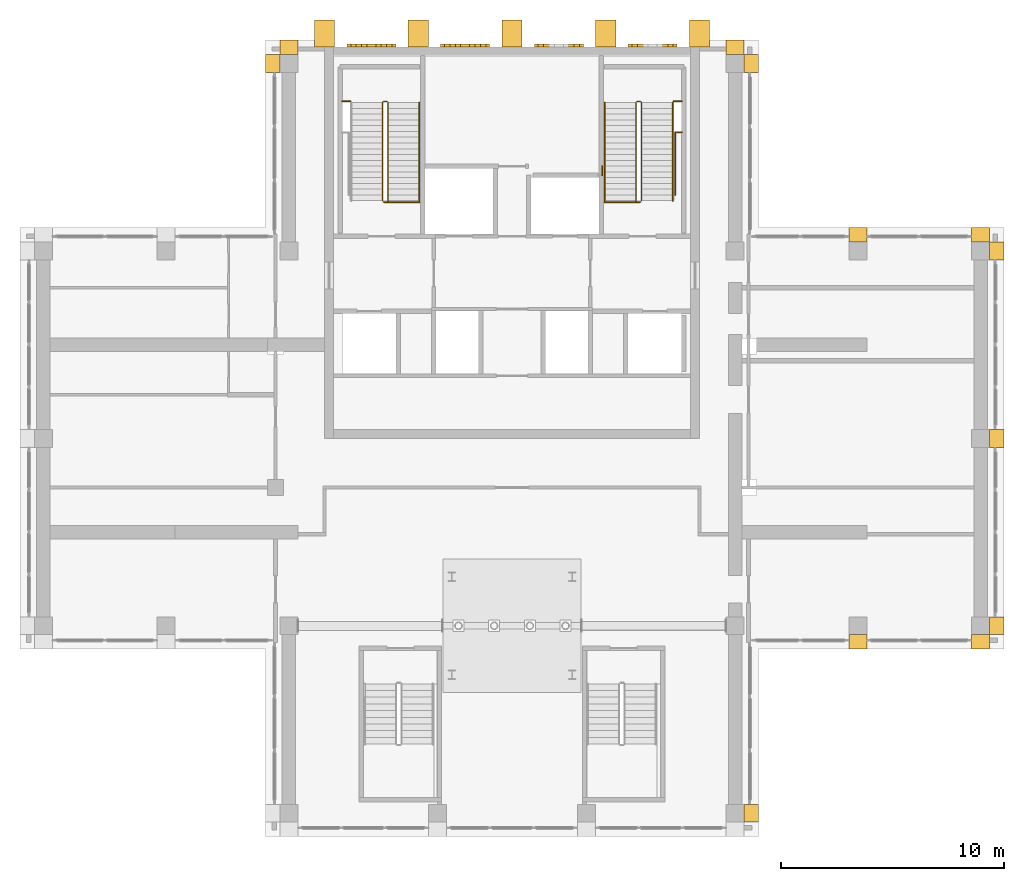
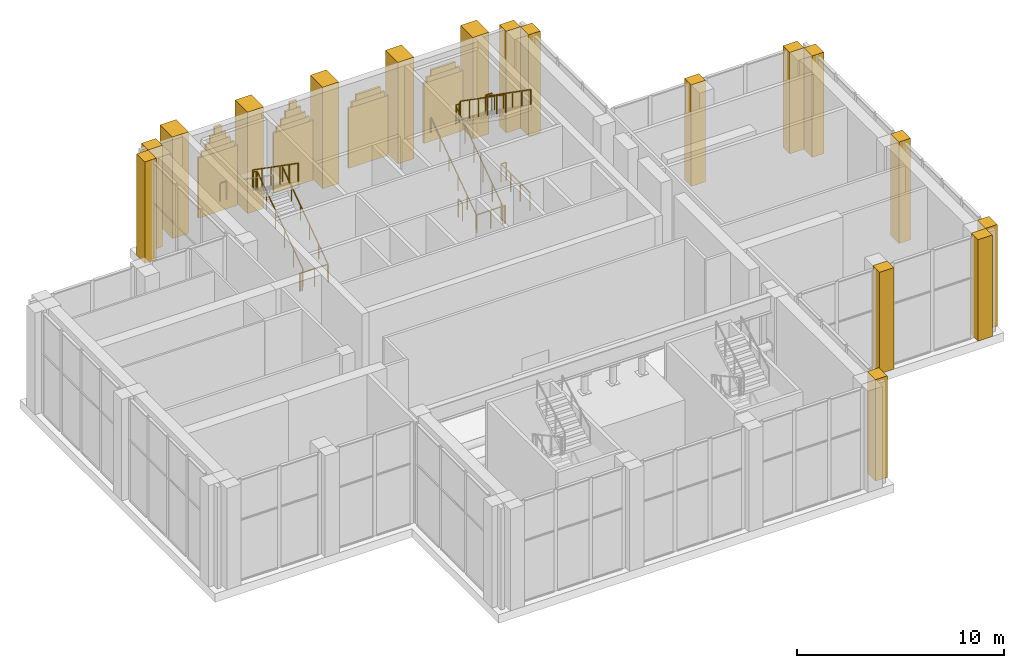
# One storey, part 13 of 14: 33 coverings, 11 railings.
"""IFC4 building model written with IfcOpenShell, lengths in metres."""

from ifc_helpers import new_model, si_unit, direction, frame, origin, origin_2d, place, context, subcontext, project, spatial, polyline, rectangle, outline, extrude, material, type_object, element, save


model = new_model("IFC4")

# Units and contexts
model_context = context("Model", 3, precision=1e-05, world=origin(), true_north=direction((0.0, 1.0)))
body_context = subcontext(model_context, "Body", "Model", "MODEL_VIEW")
ifc_project = project(units=[si_unit("LENGTHUNIT", "METRE"), si_unit("AREAUNIT", "SQUARE_METRE"), si_unit("VOLUMEUNIT", "CUBIC_METRE"), si_unit("PLANEANGLEUNIT", "RADIAN"), si_unit("MASSUNIT", "GRAM", prefix="KILO")], contexts=[model_context])

# Site, building, storey
site_placement = place(None, origin())
site = spatial("IfcSite", under=ifc_project, at=site_placement, CompositionType="ELEMENT")
building_placement = place(site_placement, origin())
building = spatial("IfcBuilding", under=site, at=building_placement, Name="Vermilion Ogive Tower", CompositionType="ELEMENT")
storey_placement = place(building_placement, frame((0.0, 0.0, 278.35009765625)))
storey = spatial("IfcBuildingStorey", under=building, at=storey_placement, Name="L73", CompositionType="ELEMENT", Elevation=278.35009765625)

# Coverings
ifc_material_1 = material(Name="Stone cladding", Category="masonry")
covering_type_1 = type_object("IfcCoveringType", Name="Core buttress pier", PredefinedType="CLADDING", material=ifc_material_1)
covering_1_placement = place(storey_placement, origin())
element("IfcCovering", 1, at=covering_1_placement, inside=storey, type_object=covering_type_1, Name="Buttress pier L73 N1", PredefinedType="CLADDING", context=body_context, shape_type="SweptSolid", body=[
    extrude(outline(polyline([(-8.85009765625, 21.75), (-7.949951171875, 21.75), (-7.949951171875, 22.949951171875), (-8.85009765625, 22.949951171875), (-8.85009765625, 21.75)])), origin(), (0.0, 0.0, 1.0), 6.0),
])
covering_2_placement = place(storey_placement, origin())
element("IfcCovering", 2, at=covering_2_placement, inside=storey, type_object=covering_type_1, Name="Buttress pier L73 N2", PredefinedType="CLADDING", context=body_context, shape_type="SweptSolid", body=[
    extrude(outline(polyline([(-4.64990234375, 21.75), (-3.75, 21.75), (-3.75, 22.949951171875), (-4.64990234375, 22.949951171875), (-4.64990234375, 21.75)])), origin(), (0.0, 0.0, 1.0), 6.0),
])
covering_3_placement = place(storey_placement, origin())
element("IfcCovering", 3, at=covering_3_placement, inside=storey, type_object=covering_type_1, Name="Buttress pier L73 N3", PredefinedType="CLADDING", context=body_context, shape_type="SweptSolid", body=[
    extrude(outline(polyline([(-0.449951171875, 21.75), (0.449951171875, 21.75), (0.449951171875, 22.949951171875), (-0.449951171875, 22.949951171875), (-0.449951171875, 21.75)])), origin(), (0.0, 0.0, 1.0), 6.0),
])
covering_4_placement = place(storey_placement, origin())
element("IfcCovering", 4, at=covering_4_placement, inside=storey, type_object=covering_type_1, Name="Buttress pier L73 N4", PredefinedType="CLADDING", context=body_context, shape_type="SweptSolid", body=[
    extrude(outline(polyline([(3.75, 21.75), (4.64990234375, 21.75), (4.64990234375, 22.949951171875), (3.75, 22.949951171875), (3.75, 21.75)])), origin(), (0.0, 0.0, 1.0), 6.0),
])
covering_5_placement = place(storey_placement, origin())
element("IfcCovering", 5, at=covering_5_placement, inside=storey, type_object=covering_type_1, Name="Buttress pier L73 N5", PredefinedType="CLADDING", context=body_context, shape_type="SweptSolid", body=[
    extrude(outline(polyline([(7.949951171875, 21.75), (8.85009765625, 21.75), (8.85009765625, 22.949951171875), (7.949951171875, 22.949951171875), (7.949951171875, 21.75)])), origin(), (0.0, 0.0, 1.0), 6.0),
])
ifc_material_2 = material(Name="Stone cladding", Category="masonry")
covering_type_2 = type_object("IfcCoveringType", Name="Lancet panel", PredefinedType="CLADDING", material=ifc_material_2)
covering_6_placement = place(storey_placement, frame((0.0, 0.0, 0.699951171875)))
element("IfcCovering", 6, at=covering_6_placement, inside=storey, type_object=covering_type_2, Name="Lancet panel L73N1A", PredefinedType="CLADDING", context=body_context, shape_type="SweptSolid", body=[
    extrude(outline(polyline([(-7.39990234375, 21.75), (-5.199951171875, 21.75), (-5.199951171875, 21.8701171875), (-7.39990234375, 21.8701171875), (-7.39990234375, 21.75)])), origin(), (0.0, 0.0, 1.0), 3.550048828125),
])
covering_7_placement = place(storey_placement, frame((0.0, 0.0, 4.25)))
element("IfcCovering", 7, at=covering_7_placement, inside=storey, type_object=covering_type_2, Name="Lancet panel L73N1B", PredefinedType="CLADDING", context=body_context, shape_type="SweptSolid", body=[
    extrude(outline(polyline([(-7.22412109375, 21.75), (-5.3759765625, 21.75), (-5.3759765625, 21.8701171875), (-7.22412109375, 21.8701171875), (-7.22412109375, 21.75)])), origin(), (0.0, 0.0, 1.0), 0.2998046875),
])
covering_8_placement = place(storey_placement, frame((0.0, 0.0, 4.5498046875)))
element("IfcCovering", 8, at=covering_8_placement, inside=storey, type_object=covering_type_2, Name="Lancet panel L73N1C", PredefinedType="CLADDING", context=body_context, shape_type="SweptSolid", body=[
    extrude(outline(polyline([(-6.98193359375, 21.75), (-5.617919921875, 21.75), (-5.617919921875, 21.8701171875), (-6.98193359375, 21.8701171875), (-6.98193359375, 21.75)])), origin(), (0.0, 0.0, 1.0), 0.35009765625),
])
covering_9_placement = place(storey_placement, frame((0.0, 0.0, 4.89990234375)))
element("IfcCovering", 9, at=covering_9_placement, inside=storey, type_object=covering_type_2, Name="Lancet panel L73N1D", PredefinedType="CLADDING", context=body_context, shape_type="SweptSolid", body=[
    extrude(outline(polyline([(-6.739990234375, 21.75), (-5.860107421875, 21.75), (-5.860107421875, 21.8701171875), (-6.739990234375, 21.8701171875), (-6.739990234375, 21.75)])), origin(), (0.0, 0.0, 1.0), 0.39990234375),
])
covering_10_placement = place(storey_placement, frame((0.0, 0.0, 5.2998046875)))
element("IfcCovering", 10, at=covering_10_placement, inside=storey, type_object=covering_type_2, Name="Lancet panel L73N1E", PredefinedType="CLADDING", context=body_context, shape_type="SweptSolid", body=[
    extrude(outline(polyline([(-6.498046875, 21.75), (-6.10205078125, 21.75), (-6.10205078125, 21.8701171875), (-6.498046875, 21.8701171875), (-6.498046875, 21.75)])), origin(), (0.0, 0.0, 1.0), 0.4501953125),
])
covering_11_placement = place(storey_placement, frame((0.0, 0.0, 0.699951171875)))
element("IfcCovering", 11, at=covering_11_placement, inside=storey, type_object=covering_type_2, Name="Lancet panel L73N2A", PredefinedType="CLADDING", context=body_context, shape_type="SweptSolid", body=[
    extrude(outline(polyline([(-3.199951171875, 21.75), (-1.0, 21.75), (-1.0, 21.8701171875), (-3.199951171875, 21.8701171875), (-3.199951171875, 21.75)])), origin(), (0.0, 0.0, 1.0), 3.550048828125),
])
covering_12_placement = place(storey_placement, frame((0.0, 0.0, 4.25)))
element("IfcCovering", 12, at=covering_12_placement, inside=storey, type_object=covering_type_2, Name="Lancet panel L73N2B", PredefinedType="CLADDING", context=body_context, shape_type="SweptSolid", body=[
    extrude(outline(polyline([(-3.02392578125, 21.75), (-1.176025390625, 21.75), (-1.176025390625, 21.8701171875), (-3.02392578125, 21.8701171875), (-3.02392578125, 21.75)])), origin(), (0.0, 0.0, 1.0), 0.2998046875),
])
covering_13_placement = place(storey_placement, frame((0.0, 0.0, 4.5498046875)))
element("IfcCovering", 13, at=covering_13_placement, inside=storey, type_object=covering_type_2, Name="Lancet panel L73N2C", PredefinedType="CLADDING", context=body_context, shape_type="SweptSolid", body=[
    extrude(outline(polyline([(-2.781982421875, 21.75), (-1.41796875, 21.75), (-1.41796875, 21.8701171875), (-2.781982421875, 21.8701171875), (-2.781982421875, 21.75)])), origin(), (0.0, 0.0, 1.0), 0.35009765625),
])
covering_14_placement = place(storey_placement, frame((0.0, 0.0, 4.89990234375)))
element("IfcCovering", 14, at=covering_14_placement, inside=storey, type_object=covering_type_2, Name="Lancet panel L73N2D", PredefinedType="CLADDING", context=body_context, shape_type="SweptSolid", body=[
    extrude(outline(polyline([(-2.5400390625, 21.75), (-1.659912109375, 21.75), (-1.659912109375, 21.8701171875), (-2.5400390625, 21.8701171875), (-2.5400390625, 21.75)])), origin(), (0.0, 0.0, 1.0), 0.39990234375),
])
covering_15_placement = place(storey_placement, frame((0.0, 0.0, 5.2998046875)))
element("IfcCovering", 15, at=covering_15_placement, inside=storey, type_object=covering_type_2, Name="Lancet panel L73N2E", PredefinedType="CLADDING", context=body_context, shape_type="SweptSolid", body=[
    extrude(outline(polyline([(-2.298095703125, 21.75), (-1.902099609375, 21.75), (-1.902099609375, 21.8701171875), (-2.298095703125, 21.8701171875), (-2.298095703125, 21.75)])), origin(), (0.0, 0.0, 1.0), 0.4501953125),
])
covering_16_placement = place(storey_placement, frame((0.0, 0.0, 0.699951171875)))
element("IfcCovering", 16, at=covering_16_placement, inside=storey, type_object=covering_type_2, Name="Lancet panel L73N3A", PredefinedType="CLADDING", context=body_context, shape_type="SweptSolid", body=[
    extrude(outline(polyline([(1.0, 21.75), (3.199951171875, 21.75), (3.199951171875, 21.8701171875), (1.0, 21.8701171875), (1.0, 21.75)])), origin(), (0.0, 0.0, 1.0), 3.550048828125),
])
covering_17_placement = place(storey_placement, frame((0.0, 0.0, 4.25)))
element("IfcCovering", 17, at=covering_17_placement, inside=storey, type_object=covering_type_2, Name="Lancet panel L73N3B", PredefinedType="CLADDING", context=body_context, shape_type="SweptSolid", body=[
    extrude(outline(polyline([(1.176025390625, 21.75), (3.02392578125, 21.75), (3.02392578125, 21.8701171875), (1.176025390625, 21.8701171875), (1.176025390625, 21.75)])), origin(), (0.0, 0.0, 1.0), 0.2998046875),
])
covering_18_placement = place(storey_placement, frame((0.0, 0.0, 4.5498046875)))
element("IfcCovering", 18, at=covering_18_placement, inside=storey, type_object=covering_type_2, Name="Lancet panel L73N3C", PredefinedType="CLADDING", context=body_context, shape_type="SweptSolid", body=[
    extrude(outline(polyline([(1.41796875, 21.75), (2.781982421875, 21.75), (2.781982421875, 21.8701171875), (1.41796875, 21.8701171875), (1.41796875, 21.75)])), origin(), (0.0, 0.0, 1.0), 0.35009765625),
])
covering_19_placement = place(storey_placement, frame((0.0, 0.0, 0.699951171875)))
element("IfcCovering", 19, at=covering_19_placement, inside=storey, type_object=covering_type_2, Name="Lancet panel L73N4A", PredefinedType="CLADDING", context=body_context, shape_type="SweptSolid", body=[
    extrude(outline(polyline([(5.199951171875, 21.75), (7.39990234375, 21.75), (7.39990234375, 21.8701171875), (5.199951171875, 21.8701171875), (5.199951171875, 21.75)])), origin(), (0.0, 0.0, 1.0), 3.550048828125),
])
covering_20_placement = place(storey_placement, frame((0.0, 0.0, 4.25)))
element("IfcCovering", 20, at=covering_20_placement, inside=storey, type_object=covering_type_2, Name="Lancet panel L73N4B", PredefinedType="CLADDING", context=body_context, shape_type="SweptSolid", body=[
    extrude(outline(polyline([(5.3759765625, 21.75), (7.22412109375, 21.75), (7.22412109375, 21.8701171875), (5.3759765625, 21.8701171875), (5.3759765625, 21.75)])), origin(), (0.0, 0.0, 1.0), 0.2998046875),
])
covering_21_placement = place(storey_placement, frame((0.0, 0.0, 4.5498046875)))
element("IfcCovering", 21, at=covering_21_placement, inside=storey, type_object=covering_type_2, Name="Lancet panel L73N4C", PredefinedType="CLADDING", context=body_context, shape_type="SweptSolid", body=[
    extrude(outline(polyline([(5.617919921875, 21.75), (6.98193359375, 21.75), (6.98193359375, 21.8701171875), (5.617919921875, 21.8701171875), (5.617919921875, 21.75)])), origin(), (0.0, 0.0, 1.0), 0.35009765625),
])

# Railings
ifc_material_3 = material(Name="Steel S355 painted", Category="steel")
railing_type_1 = type_object("IfcRailingType", Name="Stair guard 1100", PredefinedType="GUARDRAIL", material=ifc_material_3)
railing_1_placement = place(storey_placement, frame((-5.75, 14.800048828125, 0.0)))
element("IfcRailing", 22, at=railing_1_placement, inside=storey, type_object=railing_type_1, Name="L73 ST1 stair guard 4", PredefinedType="GUARDRAIL", context=body_context, shape_type="SweptSolid", body=[
    extrude(rectangle(XDim=0.048095703125, YDim=0.048095703125, at=origin_2d()), frame((0.0, 0.0, 1.076171875), z_axis=(1.0, 0.0, 0.0), x_axis=(0.0, 1.0, 0.0)), (0.0, 0.0, 1.0), 0.14990234375),
    extrude(rectangle(XDim=0.048095703125, YDim=0.048095703125, at=origin_2d()), frame((0.14990234375, 0.0, 1.076171875), z_axis=(0.258240678652, 0.258240678652, 0.930926153773), x_axis=(-0.707106781187, 0.707106781187, 0.0)), (0.0, 0.0, 1.0), 0.19384765625),
    extrude(rectangle(XDim=0.048095703125, YDim=0.048095703125, at=origin_2d()), frame((0.199951171875, 0.050048828125, 1.25634765625), z_axis=(0.0, 0.820137383327, 0.572166647463), x_axis=(-1.0, 0.0, 0.0)), (0.0, 0.0, 1.0), 5.36474609375),
    extrude(rectangle(XDim=0.048095703125, YDim=0.048095703125, at=origin_2d()), frame((0.199951171875, 4.449951171875, 4.326171875), z_axis=(-0.707106781187, 0.707106781187, 0.0), x_axis=(-0.707106781187, -0.707106781187, 0.0)), (0.0, 0.0, 1.0), 0.07080078125),
    extrude(rectangle(XDim=0.048095703125, YDim=0.048095703125, at=origin_2d()), frame((0.14990234375, 4.5, 4.326171875), z_axis=(-1.0, 0.0, 0.0), x_axis=(0.0, -1.0, 0.0)), (0.0, 0.0, 1.0), 0.14990234375),
    extrude(rectangle(XDim=0.048095703125, YDim=0.048095703125, at=origin_2d()), frame((0.0, 4.5, 4.326171875), z_axis=(-0.258240678652, -0.258240678652, 0.930926153773), x_axis=(0.707106781187, -0.707106781187, 0.0)), (0.0, 0.0, 1.0), 0.19384765625),
    extrude(rectangle(XDim=0.048095703125, YDim=0.048095703125, at=origin_2d()), frame((-0.050048828125, 4.449951171875, 4.50634765625), z_axis=(0.0, -0.820137383327, 0.572166647463), x_axis=(1.0, 0.0, 0.0)), (0.0, 0.0, 1.0), 5.36474609375),
    extrude(rectangle(XDim=0.0419921875, YDim=0.0419921875, at=origin_2d()), origin(), (0.0, 0.0, 1.0), 1.052001953125),
    extrude(rectangle(XDim=0.0419921875, YDim=0.0419921875, at=origin_2d()), frame((0.14990234375, 0.0, 0.0)), (0.0, 0.0, 1.0), 1.052001953125),
    extrude(rectangle(XDim=0.0419921875, YDim=0.0419921875, at=origin_2d()), frame((0.199951171875, 0.050048828125, 0.180419921875)), (0.0, 0.0, 1.0), 1.052001953125),
    extrude(rectangle(XDim=0.0419921875, YDim=0.0419921875, at=origin_2d()), frame((0.199951171875, 0.929931640625, 0.79443359375)), (0.0, 0.0, 1.0), 1.052001953125),
    extrude(rectangle(XDim=0.0419921875, YDim=0.0419921875, at=origin_2d()), frame((0.199951171875, 1.81005859375, 1.408203125)), (0.0, 0.0, 1.0), 1.052001953125),
    extrude(rectangle(XDim=0.0419921875, YDim=0.0419921875, at=origin_2d()), frame((0.199951171875, 2.68994140625, 2.022216796875)), (0.0, 0.0, 1.0), 1.052001953125),
    extrude(rectangle(XDim=0.0419921875, YDim=0.0419921875, at=origin_2d()), frame((0.199951171875, 3.570068359375, 2.635986328125)), (0.0, 0.0, 1.0), 1.052001953125),
    extrude(rectangle(XDim=0.0419921875, YDim=0.0419921875, at=origin_2d()), frame((0.199951171875, 4.449951171875, 3.25)), (0.0, 0.0, 1.0), 1.052001953125),
    extrude(rectangle(XDim=0.0419921875, YDim=0.0419921875, at=origin_2d()), frame((0.14990234375, 4.5, 3.25)), (0.0, 0.0, 1.0), 1.052001953125),
    extrude(rectangle(XDim=0.0419921875, YDim=0.0419921875, at=origin_2d()), frame((0.0, 4.5, 3.25)), (0.0, 0.0, 1.0), 1.052001953125),
    extrude(rectangle(XDim=0.0419921875, YDim=0.0419921875, at=origin_2d()), frame((-0.050048828125, 4.449951171875, 3.430419921875)), (0.0, 0.0, 1.0), 1.052001953125),
    extrude(rectangle(XDim=0.0419921875, YDim=0.0419921875, at=origin_2d()), frame((-0.050048828125, 3.570068359375, 4.04443359375)), (0.0, 0.0, 1.0), 1.052001953125),
    extrude(rectangle(XDim=0.0419921875, YDim=0.0419921875, at=origin_2d()), frame((-0.050048828125, 2.68994140625, 4.658203125)), (0.0, 0.0, 1.0), 1.052001953125),
    extrude(rectangle(XDim=0.0419921875, YDim=0.0419921875, at=origin_2d()), frame((-0.050048828125, 1.81005859375, 5.272216796875)), (0.0, 0.0, 1.0), 1.052001953125),
    extrude(rectangle(XDim=0.0419921875, YDim=0.0419921875, at=origin_2d()), frame((-0.050048828125, 0.929931640625, 5.885986328125)), (0.0, 0.0, 1.0), 1.052001953125),
    extrude(rectangle(XDim=0.0419921875, YDim=0.0419921875, at=origin_2d()), frame((-0.050048828125, 0.050048828125, 6.5)), (0.0, 0.0, 1.0), 1.052001953125),
])
railing_2_placement = place(storey_placement, frame((5.75, 14.800048828125, 0.0)))
element("IfcRailing", 23, at=railing_2_placement, inside=storey, type_object=railing_type_1, Name="L73 ST2 stair guard 4", PredefinedType="GUARDRAIL", context=body_context, shape_type="SweptSolid", body=[
    extrude(rectangle(XDim=0.048095703125, YDim=0.048095703125, at=origin_2d()), frame((0.0, 0.0, 1.076171875), z_axis=(-1.0, 0.0, 0.0), x_axis=(0.0, -1.0, 0.0)), (0.0, 0.0, 1.0), 0.14990234375),
    extrude(rectangle(XDim=0.048095703125, YDim=0.048095703125, at=origin_2d()), frame((-0.14990234375, 0.0, 1.076171875), z_axis=(-0.258240678652, 0.258240678652, 0.930926153773), x_axis=(-0.707106781187, -0.707106781187, 0.0)), (0.0, 0.0, 1.0), 0.19384765625),
    extrude(rectangle(XDim=0.048095703125, YDim=0.048095703125, at=origin_2d()), frame((-0.199951171875, 0.050048828125, 1.25634765625), z_axis=(0.0, 0.820137383327, 0.572166647463), x_axis=(-1.0, 0.0, 0.0)), (0.0, 0.0, 1.0), 5.36474609375),
    extrude(rectangle(XDim=0.048095703125, YDim=0.048095703125, at=origin_2d()), frame((-0.199951171875, 4.449951171875, 4.326171875), z_axis=(0.707106781187, 0.707106781187, 0.0), x_axis=(-0.707106781187, 0.707106781187, 0.0)), (0.0, 0.0, 1.0), 0.07080078125),
    extrude(rectangle(XDim=0.048095703125, YDim=0.048095703125, at=origin_2d()), frame((-0.14990234375, 4.5, 4.326171875), z_axis=(1.0, 0.0, 0.0), x_axis=(0.0, 1.0, 0.0)), (0.0, 0.0, 1.0), 0.14990234375),
    extrude(rectangle(XDim=0.048095703125, YDim=0.048095703125, at=origin_2d()), frame((0.0, 4.5, 4.326171875), z_axis=(0.258240678652, -0.258240678652, 0.930926153773), x_axis=(0.707106781187, 0.707106781187, 0.0)), (0.0, 0.0, 1.0), 0.19384765625),
    extrude(rectangle(XDim=0.048095703125, YDim=0.048095703125, at=origin_2d()), frame((0.050048828125, 4.449951171875, 4.50634765625), z_axis=(0.0, -0.820137383327, 0.572166647463), x_axis=(1.0, 0.0, 0.0)), (0.0, 0.0, 1.0), 5.36474609375),
    extrude(rectangle(XDim=0.0419921875, YDim=0.0419921875, at=origin_2d()), origin(), (0.0, 0.0, 1.0), 1.052001953125),
    extrude(rectangle(XDim=0.0419921875, YDim=0.0419921875, at=origin_2d()), frame((-0.14990234375, 0.0, 0.0)), (0.0, 0.0, 1.0), 1.052001953125),
    extrude(rectangle(XDim=0.0419921875, YDim=0.0419921875, at=origin_2d()), frame((-0.199951171875, 0.050048828125, 0.180419921875)), (0.0, 0.0, 1.0), 1.052001953125),
    extrude(rectangle(XDim=0.0419921875, YDim=0.0419921875, at=origin_2d()), frame((-0.199951171875, 0.929931640625, 0.79443359375)), (0.0, 0.0, 1.0), 1.052001953125),
    extrude(rectangle(XDim=0.0419921875, YDim=0.0419921875, at=origin_2d()), frame((-0.199951171875, 1.81005859375, 1.408203125)), (0.0, 0.0, 1.0), 1.052001953125),
    extrude(rectangle(XDim=0.0419921875, YDim=0.0419921875, at=origin_2d()), frame((-0.199951171875, 2.68994140625, 2.022216796875)), (0.0, 0.0, 1.0), 1.052001953125),
    extrude(rectangle(XDim=0.0419921875, YDim=0.0419921875, at=origin_2d()), frame((-0.199951171875, 3.570068359375, 2.635986328125)), (0.0, 0.0, 1.0), 1.052001953125),
    extrude(rectangle(XDim=0.0419921875, YDim=0.0419921875, at=origin_2d()), frame((-0.199951171875, 4.449951171875, 3.25)), (0.0, 0.0, 1.0), 1.052001953125),
    extrude(rectangle(XDim=0.0419921875, YDim=0.0419921875, at=origin_2d()), frame((-0.14990234375, 4.5, 3.25)), (0.0, 0.0, 1.0), 1.052001953125),
    extrude(rectangle(XDim=0.0419921875, YDim=0.0419921875, at=origin_2d()), frame((0.0, 4.5, 3.25)), (0.0, 0.0, 1.0), 1.052001953125),
    extrude(rectangle(XDim=0.0419921875, YDim=0.0419921875, at=origin_2d()), frame((0.050048828125, 4.449951171875, 3.430419921875)), (0.0, 0.0, 1.0), 1.052001953125),
    extrude(rectangle(XDim=0.0419921875, YDim=0.0419921875, at=origin_2d()), frame((0.050048828125, 3.570068359375, 4.04443359375)), (0.0, 0.0, 1.0), 1.052001953125),
    extrude(rectangle(XDim=0.0419921875, YDim=0.0419921875, at=origin_2d()), frame((0.050048828125, 2.68994140625, 4.658203125)), (0.0, 0.0, 1.0), 1.052001953125),
    extrude(rectangle(XDim=0.0419921875, YDim=0.0419921875, at=origin_2d()), frame((0.050048828125, 1.81005859375, 5.272216796875)), (0.0, 0.0, 1.0), 1.052001953125),
    extrude(rectangle(XDim=0.0419921875, YDim=0.0419921875, at=origin_2d()), frame((0.050048828125, 0.929931640625, 5.885986328125)), (0.0, 0.0, 1.0), 1.052001953125),
    extrude(rectangle(XDim=0.0419921875, YDim=0.0419921875, at=origin_2d()), frame((0.050048828125, 0.050048828125, 6.5)), (0.0, 0.0, 1.0), 1.052001953125),
])
for number, where, name in (
    (24, (-7.60009765625, 19.300048828125, 3.25), "L73 landing guard"),
    (25, (7.25, 19.300048828125, 3.25), "L73 landing guard"),
):
    element("IfcRailing", number, at=place(storey_placement, frame(where)), inside=storey, type_object=railing_type_1, Name=name, PredefinedType="GUARDRAIL", context=body_context, shape_type="SweptSolid", body=[
        extrude(rectangle(XDim=0.048095703125, YDim=0.048095703125, at=origin_2d()), frame((0.0, 0.0, 1.076171875), z_axis=(1.0, 0.0, 0.0), x_axis=(0.0, 1.0, 0.0)), (0.0, 0.0, 1.0), 0.35009765625),
        extrude(rectangle(XDim=0.0419921875, YDim=0.0419921875, at=origin_2d()), origin(), (0.0, 0.0, 1.0), 1.052001953125),
        extrude(rectangle(XDim=0.0419921875, YDim=0.0419921875, at=origin_2d()), frame((0.35009765625, 0.0, 0.0)), (0.0, 0.0, 1.0), 1.052001953125),
    ])
railing_3_placement = place(storey_placement, frame((-4.159912109375, 14.7900390625, 0.0)))
element("IfcRailing", 26, at=railing_3_placement, inside=storey, type_object=railing_type_1, Name="L73 stair opening guard", PredefinedType="GUARDRAIL", context=body_context, shape_type="SweptSolid", body=[
    extrude(rectangle(XDim=0.048095703125, YDim=0.048095703125, at=origin_2d()), frame((0.0, 0.0, 1.076171875), z_axis=(-1.0, 0.0, 0.0), x_axis=(0.0, -1.0, 0.0)), (0.0, 0.0, 1.0), 1.5400390625),
    extrude(rectangle(XDim=0.0419921875, YDim=0.0419921875, at=origin_2d()), origin(), (0.0, 0.0, 1.0), 1.052001953125),
    extrude(rectangle(XDim=0.0419921875, YDim=0.0419921875, at=origin_2d()), frame((-0.77001953125, 0.0, 0.0)), (0.0, 0.0, 1.0), 1.052001953125),
    extrude(rectangle(XDim=0.0419921875, YDim=0.0419921875, at=origin_2d()), frame((-1.5400390625, 0.0, 0.0)), (0.0, 0.0, 1.0), 1.052001953125),
])
railing_4_placement = place(storey_placement, frame((4.0400390625, 16.0, 0.0)))
element("IfcRailing", 27, at=railing_4_placement, inside=storey, type_object=railing_type_1, Name="L73 stair opening guard", PredefinedType="GUARDRAIL", context=body_context, shape_type="SweptSolid", body=[
    extrude(rectangle(XDim=0.048095703125, YDim=0.048095703125, at=origin_2d()), frame((0.0, 0.0, 1.076171875), z_axis=(0.0, 1.0, 0.0), x_axis=(-1.0, 0.0, 0.0)), (0.0, 0.0, 1.0), 0.39990234375),
    extrude(rectangle(XDim=0.0419921875, YDim=0.0419921875, at=origin_2d()), origin(), (0.0, 0.0, 1.0), 1.052001953125),
    extrude(rectangle(XDim=0.0419921875, YDim=0.0419921875, at=origin_2d()), frame((0.0, 0.39990234375, 0.0)), (0.0, 0.0, 1.0), 1.052001953125),
])
railing_5_placement = place(storey_placement, frame((7.599609375, 17.923828125, 0.0)))
element("IfcRailing", 28, at=railing_5_placement, inside=storey, type_object=railing_type_1, Name="L73 stair opening guard", PredefinedType="GUARDRAIL", context=body_context, shape_type="SweptSolid", body=[
    extrude(rectangle(XDim=0.048095703125, YDim=0.048095703125, at=origin_2d()), frame((0.0, 0.0, 1.076171875), z_axis=(-1.0, 0.0, 0.0), x_axis=(0.0, -1.0, 0.0)), (0.0, 0.0, 1.0), 0.289794921875),
    extrude(rectangle(XDim=0.048095703125, YDim=0.048095703125, at=origin_2d()), frame((-0.289794921875, 0.0, 1.076171875), z_axis=(0.0, -1.0, 0.0), x_axis=(1.0, 0.0, 0.0)), (0.0, 0.0, 1.0), 2.804443359375),
    extrude(rectangle(XDim=0.0419921875, YDim=0.0419921875, at=origin_2d()), origin(), (0.0, 0.0, 1.0), 1.052001953125),
    extrude(rectangle(XDim=0.0419921875, YDim=0.0419921875, at=origin_2d()), frame((-0.289794921875, 0.0, 0.0)), (0.0, 0.0, 1.0), 1.052001953125),
    extrude(rectangle(XDim=0.0419921875, YDim=0.0419921875, at=origin_2d()), frame((-0.289794921875, -0.934814453125, 0.0)), (0.0, 0.0, 1.0), 1.052001953125),
    extrude(rectangle(XDim=0.0419921875, YDim=0.0419921875, at=origin_2d()), frame((-0.289794921875, -1.86962890625, 0.0)), (0.0, 0.0, 1.0), 1.052001953125),
    extrude(rectangle(XDim=0.0419921875, YDim=0.0419921875, at=origin_2d()), frame((-0.289794921875, -2.804443359375, 0.0)), (0.0, 0.0, 1.0), 1.052001953125),
])
railing_6_placement = place(storey_placement, frame((5.699951171875, 14.7900390625, 0.0)))
element("IfcRailing", 29, at=railing_6_placement, inside=storey, type_object=railing_type_1, Name="L73 stair opening guard", PredefinedType="GUARDRAIL", context=body_context, shape_type="SweptSolid", body=[
    extrude(rectangle(XDim=0.048095703125, YDim=0.048095703125, at=origin_2d()), frame((0.0, 0.0, 1.076171875), z_axis=(-1.0, 0.0, 0.0), x_axis=(0.0, -1.0, 0.0)), (0.0, 0.0, 1.0), 1.5400390625),
    extrude(rectangle(XDim=0.0419921875, YDim=0.0419921875, at=origin_2d()), origin(), (0.0, 0.0, 1.0), 1.052001953125),
    extrude(rectangle(XDim=0.0419921875, YDim=0.0419921875, at=origin_2d()), frame((-0.77001953125, 0.0, 0.0)), (0.0, 0.0, 1.0), 1.052001953125),
    extrude(rectangle(XDim=0.0419921875, YDim=0.0419921875, at=origin_2d()), frame((-1.5400390625, 0.0, 0.0)), (0.0, 0.0, 1.0), 1.052001953125),
])
ifc_material_4 = material(Name="Stainless steel", Category="steel")
railing_type_2 = type_object("IfcRailingType", Name="Stair handrail 900", PredefinedType="HANDRAIL", material=ifc_material_4)
for number, where, name in (
    (30, (-4.14990234375, 14.85009765625, 0.180419921875), "L73 ST1 stair handrail 1"),
    (31, (4.14990234375, 14.85009765625, 0.180419921875), "L73 ST2 stair handrail 1"),
):
    element("IfcRailing", number, at=place(storey_placement, frame(where)), inside=storey, type_object=railing_type_2, Name=name, PredefinedType="HANDRAIL", context=body_context, shape_type="SweptSolid", body=[
        extrude(rectangle(XDim=0.048095703125, YDim=0.048095703125, at=origin_2d()), frame((0.0, 0.0, 0.8759765625), z_axis=(0.0, 0.820137383327, 0.572166647463), x_axis=(-1.0, 0.0, 0.0)), (0.0, 0.0, 1.0), 5.36474609375),
        extrude(rectangle(XDim=0.0419921875, YDim=0.0419921875, at=origin_2d()), origin(), (0.0, 0.0, 1.0), 0.851806640625),
        extrude(rectangle(XDim=0.0419921875, YDim=0.0419921875, at=origin_2d()), frame((0.0, 0.8798828125, 0.614013671875)), (0.0, 0.0, 1.0), 0.851806640625),
        extrude(rectangle(XDim=0.0419921875, YDim=0.0419921875, at=origin_2d()), frame((0.0, 1.760009765625, 1.227783203125)), (0.0, 0.0, 1.0), 0.851806640625),
        extrude(rectangle(XDim=0.0419921875, YDim=0.0419921875, at=origin_2d()), frame((0.0, 2.639892578125, 1.841796875)), (0.0, 0.0, 1.0), 0.851806640625),
        extrude(rectangle(XDim=0.0419921875, YDim=0.0419921875, at=origin_2d()), frame((0.0, 3.52001953125, 2.45556640625)), (0.0, 0.0, 1.0), 0.851806640625),
        extrude(rectangle(XDim=0.0419921875, YDim=0.0419921875, at=origin_2d()), frame((0.0, 4.39990234375, 3.069580078125)), (0.0, 0.0, 1.0), 0.851806640625),
    ])
railing_7_placement = place(storey_placement, frame((7.199951171875, 19.25, 3.430419921875)))
element("IfcRailing", 32, at=railing_7_placement, inside=storey, type_object=railing_type_2, Name="L73 ST2 stair handrail 2", PredefinedType="HANDRAIL", context=body_context, shape_type="SweptSolid", body=[
    extrude(rectangle(XDim=0.048095703125, YDim=0.048095703125, at=origin_2d()), frame((0.0, 0.0, 0.8759765625), z_axis=(0.0, -0.820137383327, 0.572166647463), x_axis=(1.0, 0.0, 0.0)), (0.0, 0.0, 1.0), 5.36474609375),
    extrude(rectangle(XDim=0.0419921875, YDim=0.0419921875, at=origin_2d()), origin(), (0.0, 0.0, 1.0), 0.851806640625),
    extrude(rectangle(XDim=0.0419921875, YDim=0.0419921875, at=origin_2d()), frame((0.0, -0.8798828125, 0.614013671875)), (0.0, 0.0, 1.0), 0.851806640625),
    extrude(rectangle(XDim=0.0419921875, YDim=0.0419921875, at=origin_2d()), frame((0.0, -1.760009765625, 1.227783203125)), (0.0, 0.0, 1.0), 0.851806640625),
    extrude(rectangle(XDim=0.0419921875, YDim=0.0419921875, at=origin_2d()), frame((0.0, -2.639892578125, 1.841796875)), (0.0, 0.0, 1.0), 0.851806640625),
    extrude(rectangle(XDim=0.0419921875, YDim=0.0419921875, at=origin_2d()), frame((0.0, -3.52001953125, 2.45556640625)), (0.0, 0.0, 1.0), 0.851806640625),
    extrude(rectangle(XDim=0.0419921875, YDim=0.0419921875, at=origin_2d()), frame((0.0, -4.39990234375, 3.069580078125)), (0.0, 0.0, 1.0), 0.851806640625),
])

# Coverings
ifc_material_5 = material(Name="Stone cladding", Category="masonry")
covering_type_3 = type_object("IfcCoveringType", Name="Stone pier", PredefinedType="CLADDING", material=ifc_material_5)
covering_22_placement = place(storey_placement, origin())
element("IfcCovering", 33, at=covering_22_placement, inside=storey, type_object=covering_type_3, Name="Stone pier P+0100+210X4", PredefinedType="CLADDING", context=body_context, shape_type="SweptSolid", body=[
    extrude(outline(polyline([(11.050048828125, 21.39990234375), (11.050048828125, 20.60009765625), (10.39990234375, 20.60009765625), (10.39990234375, 21.39990234375), (11.050048828125, 21.39990234375)])), origin(), (0.0, 0.0, 1.0), 6.0),
])
covering_23_placement = place(storey_placement, origin())
element("IfcCovering", 34, at=covering_23_placement, inside=storey, type_object=covering_type_3, Name="Stone pier P+0100+210N1", PredefinedType="CLADDING", context=body_context, shape_type="SweptSolid", body=[
    extrude(outline(polyline([(10.39990234375, 22.050048828125), (10.39990234375, 21.39990234375), (9.60009765625, 21.39990234375), (9.60009765625, 22.050048828125), (10.39990234375, 22.050048828125)])), origin(), (0.0, 0.0, 1.0), 6.0),
])
covering_24_placement = place(storey_placement, origin())
element("IfcCovering", 35, at=covering_24_placement, inside=storey, type_object=covering_type_3, Name="Stone pier P+0100-126X1", PredefinedType="CLADDING", context=body_context, shape_type="SweptSolid", body=[
    extrude(outline(polyline([(11.050048828125, -13.0), (10.39990234375, -13.0), (10.39990234375, -12.199951171875), (11.050048828125, -12.199951171875), (11.050048828125, -13.0)])), origin(), (0.0, 0.0, 1.0), 6.0),
])
covering_25_placement = place(storey_placement, origin())
element("IfcCovering", 36, at=covering_25_placement, inside=storey, type_object=covering_type_3, Name="Stone pier P+0155+126", PredefinedType="CLADDING", context=body_context, shape_type="SweptSolid", body=[
    extrude(outline(polyline([(15.10009765625, 13.64990234375), (15.89990234375, 13.64990234375), (15.89990234375, 13.0), (15.10009765625, 13.0), (15.10009765625, 13.64990234375)])), origin(), (0.0, 0.0, 1.0), 6.0),
])
covering_26_placement = place(storey_placement, origin())
element("IfcCovering", 37, at=covering_26_placement, inside=storey, type_object=covering_type_3, Name="Stone pier P+0155-042", PredefinedType="CLADDING", context=body_context, shape_type="SweptSolid", body=[
    extrude(outline(polyline([(15.89990234375, -5.25), (15.10009765625, -5.25), (15.10009765625, -4.60009765625), (15.89990234375, -4.60009765625), (15.89990234375, -5.25)])), origin(), (0.0, 0.0, 1.0), 6.0),
])
covering_27_placement = place(storey_placement, origin())
element("IfcCovering", 38, at=covering_27_placement, inside=storey, type_object=covering_type_3, Name="Stone pier P+0210+042", PredefinedType="CLADDING", context=body_context, shape_type="SweptSolid", body=[
    extrude(outline(polyline([(21.39990234375, 4.60009765625), (22.050048828125, 4.60009765625), (22.050048828125, 3.800048828125), (21.39990234375, 3.800048828125), (21.39990234375, 3.800048828125), (21.39990234375, 4.60009765625)])), origin(), (0.0, 0.0, 1.0), 6.0),
])
covering_28_placement = place(storey_placement, origin())
element("IfcCovering", 39, at=covering_28_placement, inside=storey, type_object=covering_type_3, Name="Stone pier P+0210+126E", PredefinedType="CLADDING", context=body_context, shape_type="SweptSolid", body=[
    extrude(outline(polyline([(22.050048828125, 13.0), (22.050048828125, 12.199951171875), (21.39990234375, 12.199951171875), (21.39990234375, 13.0), (22.050048828125, 13.0)])), origin(), (0.0, 0.0, 1.0), 6.0),
])
covering_29_placement = place(storey_placement, origin())
element("IfcCovering", 40, at=covering_29_placement, inside=storey, type_object=covering_type_3, Name="Stone pier P+0210+126X3", PredefinedType="CLADDING", context=body_context, shape_type="SweptSolid", body=[
    extrude(outline(polyline([(21.39990234375, 13.64990234375), (21.39990234375, 13.0), (20.60009765625, 13.0), (20.60009765625, 13.64990234375), (21.39990234375, 13.64990234375)])), origin(), (0.0, 0.0, 1.0), 6.0),
])
covering_30_placement = place(storey_placement, origin())
element("IfcCovering", 41, at=covering_30_placement, inside=storey, type_object=covering_type_3, Name="Stone pier P+0210-042X2", PredefinedType="CLADDING", context=body_context, shape_type="SweptSolid", body=[
    extrude(outline(polyline([(21.39990234375, -5.25), (20.60009765625, -5.25), (20.60009765625, -4.60009765625), (21.39990234375, -4.60009765625), (21.39990234375, -5.25)])), origin(), (0.0, 0.0, 1.0), 6.0),
])
covering_31_placement = place(storey_placement, origin())
element("IfcCovering", 42, at=covering_31_placement, inside=storey, type_object=covering_type_3, Name="Stone pier P+0210-042E", PredefinedType="CLADDING", context=body_context, shape_type="SweptSolid", body=[
    extrude(outline(polyline([(22.050048828125, -4.60009765625), (21.39990234375, -4.60009765625), (21.39990234375, -3.800048828125), (22.050048828125, -3.800048828125), (22.050048828125, -4.60009765625)])), origin(), (0.0, 0.0, 1.0), 6.0),
])
covering_32_placement = place(storey_placement, origin())
element("IfcCovering", 43, at=covering_32_placement, inside=storey, type_object=covering_type_3, Name="Stone pier P-0100+210N2", PredefinedType="CLADDING", context=body_context, shape_type="SweptSolid", body=[
    extrude(outline(polyline([(-10.39990234375, 22.050048828125), (-9.60009765625, 22.050048828125), (-9.60009765625, 21.39990234375), (-10.39990234375, 21.39990234375), (-10.39990234375, 22.050048828125)])), origin(), (0.0, 0.0, 1.0), 6.0),
])
covering_33_placement = place(storey_placement, origin())
element("IfcCovering", 44, at=covering_33_placement, inside=storey, type_object=covering_type_3, Name="Stone pier P-0100+210X5", PredefinedType="CLADDING", context=body_context, shape_type="SweptSolid", body=[
    extrude(outline(polyline([(-11.050048828125, 21.39990234375), (-10.39990234375, 21.39990234375), (-10.39990234375, 20.60009765625), (-11.050048828125, 20.60009765625), (-11.050048828125, 21.39990234375)])), origin(), (0.0, 0.0, 1.0), 6.0),
])

save(model, "model.ifc")
